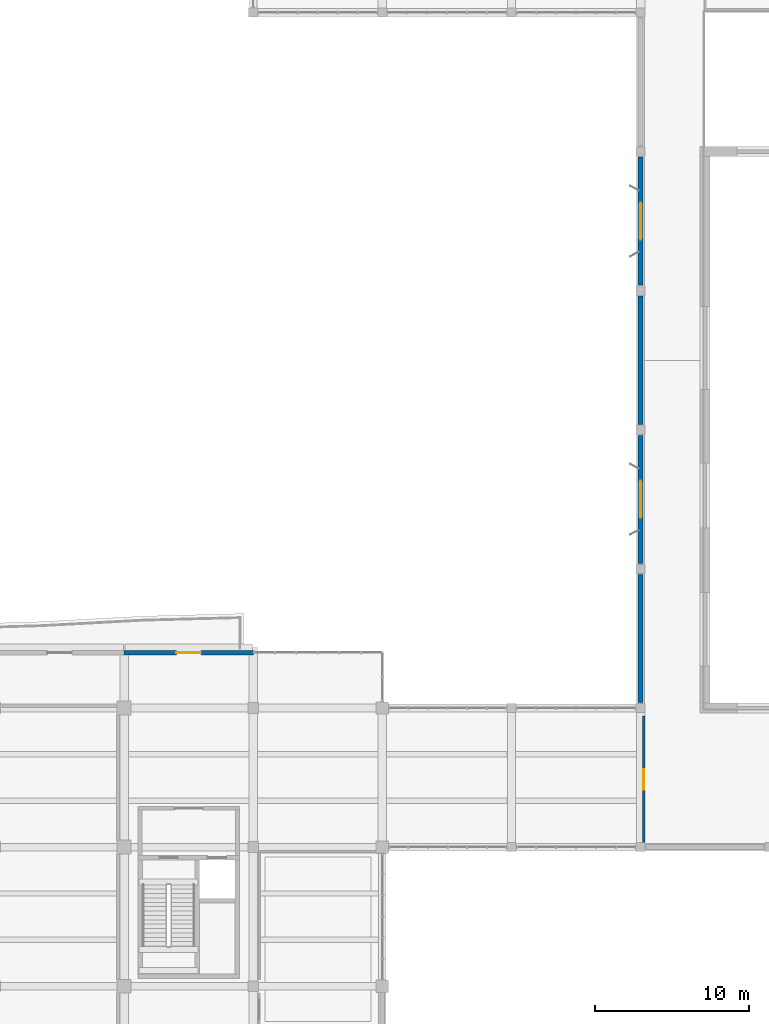
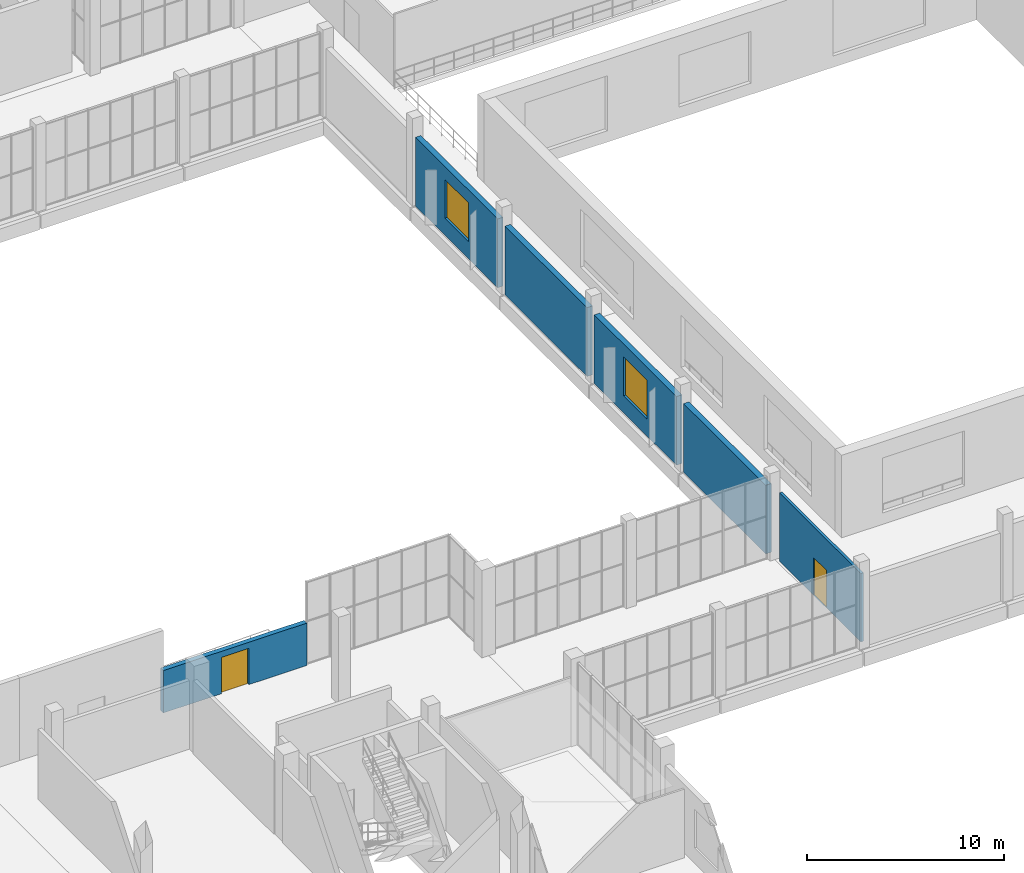
# One storey, part 114 of 132: 6 walls, 2 doors, 2 windows, 4 openings.
"""IFC4 building model written with IfcOpenShell, lengths in metres."""

from ifc_helpers import new_model, si_unit, direction, frame, frame_2d, origin, place, context, subcontext, project, spatial, rectangle, extrude, material, layer, layer_set, type_object, element, fill, save


model = new_model("IFC4")

# Units and contexts
model_context = context("Model", 3, precision=1e-05, world=origin(), true_north=direction((0.0, 1.0)))
body_context = subcontext(model_context, "Body", "Model", "MODEL_VIEW")
ifc_project = project(units=[si_unit("LENGTHUNIT", "METRE"), si_unit("AREAUNIT", "SQUARE_METRE"), si_unit("VOLUMEUNIT", "CUBIC_METRE"), si_unit("PLANEANGLEUNIT", "RADIAN"), si_unit("MASSUNIT", "GRAM", prefix="KILO")], contexts=[model_context])

# Site, building, storey
site_placement = place(None, origin())
site = spatial("IfcSite", under=ifc_project, at=site_placement, CompositionType="ELEMENT")
building_placement = place(site_placement, origin())
building = spatial("IfcBuilding", under=site, at=building_placement, Name="Khurvash Pelagic Aquarium", CompositionType="ELEMENT")
storey_placement = place(building_placement, frame((0.0, 0.0, 5.39990234375)))
storey = spatial("IfcBuildingStorey", under=building, at=storey_placement, Name="L01", CompositionType="ELEMENT", Elevation=5.39990234375)

# Wall, opening, door
ifc_material_1 = material(Name="Glass-fibre reinforced concrete C40/50", Category="concrete")
ifc_layer_1 = layer(ifc_material_1, 0.280029296875)
ifc_layer_set_1 = layer_set([ifc_layer_1], Name="Glass-fibre reinforced concrete C40/50")
wall_type_1 = type_object("IfcWallType", Name="EW-280", PredefinedType="STANDARD", material=ifc_layer_set_1)
wall_1_placement = place(storey_placement, frame((100.800048828125, 33.35009765625, 0.0), z_axis=(0.0, 0.0, 1.0), x_axis=(-1.0, 0.0, 0.0)))
wall_1 = element("IfcWall", 1, at=wall_1_placement, inside=storey, type_object=wall_type_1, Name="L01 Exterior Architectural Facade Wall EW-280 0056", PredefinedType="STANDARD", context=body_context, shape_type="SweptSolid", body=[
    extrude(rectangle(XDim=8.400146484375, YDim=0.280029296875, at=frame_2d((4.2001953125, 0.0))), origin(), (0.0, 0.0, 1.0), 2.6220703125),
])
opening_1_placement = place(wall_1_placement, frame((3.39990234375, 0.0, 0.0)))
opening_1 = element("IfcOpeningElement", 2, at=opening_1_placement, cuts=wall_1, Name="Opening ED-03", PredefinedType="OPENING", context=body_context, shape_type="SweptSolid", body=[
    extrude(rectangle(XDim=1.60009765625, YDim=2.25, at=frame_2d((0.800048828125, 1.125))), frame((0.0, 0.14990234375, 0.0), z_axis=(0.0, -1.0, 0.0), x_axis=(1.0, 0.0, 0.0)), (0.0, 0.0, 1.0), 0.300048828125),
])
ifc_material_2 = material(Name="Thermally broken glazed aluminium", Category="aluminium")
door_type_1 = type_object("IfcDoorType", Name="ED-03", OperationType="DOUBLE_DOOR_SINGLE_SWING", PredefinedType="DOOR", material=ifc_material_2)
door_1_placement = place(opening_1_placement, frame((1.60009765625, 0.0, 0.0), z_axis=(0.0, 0.0, 1.0), x_axis=(-1.0, 0.0, 0.0)))
door_1 = element("IfcDoor", 3, at=door_1_placement, inside=storey, type_object=door_type_1, Name="DR-0102", OperationType="DOUBLE_DOOR_SINGLE_SWING", OverallHeight=2.25, OverallWidth=1.60009765625, PredefinedType="DOOR", context=body_context, shape_type="SweptSolid", body=[
    extrude(rectangle(XDim=1.60009765625, YDim=2.25, at=frame_2d((0.800048828125, 1.125))), frame((0.0, 0.02490234375, 0.0), z_axis=(0.0, -1.0, 0.0), x_axis=(1.0, 0.0, 0.0)), (0.0, 0.0, 1.0), 0.050048828125),
])
fill(opening_1, door_1)

# Wall
ifc_material_3 = material(Name="Precast concrete C40/50", Category="concrete")
ifc_layer_2 = layer(ifc_material_3, 0.320068359375)
ifc_layer_set_2 = layer_set([ifc_layer_2], Name="Precast concrete C40/50")
wall_type_2 = type_object("IfcWallType", Name="EW-320", PredefinedType="STANDARD", material=ifc_layer_set_2)
wall_2_placement = place(storey_placement, frame((126.0, 38.43994140625, 0.0), z_axis=(0.0, 0.0, 1.0), x_axis=(0.0, -1.0, 0.0)))
element("IfcWall", 4, at=wall_2_placement, inside=storey, type_object=wall_type_2, Name="L01 Ocean Tank Hall West Courtyard Wall EW-320 B2", PredefinedType="STANDARD", context=body_context, shape_type="SweptSolid", body=[
    extrude(rectangle(XDim=8.329833984375, YDim=0.320068359375, at=frame_2d((4.1650390625, 0.0))), origin(), (0.0, 0.0, 1.0), 4.25),
])

# Wall, opening, window
wall_3_placement = place(storey_placement, frame((126.0, 47.489990234375, 0.0), z_axis=(0.0, 0.0, 1.0), x_axis=(0.0, -1.0, 0.0)))
wall_3 = element("IfcWall", 5, at=wall_3_placement, inside=storey, type_object=wall_type_2, Name="L01 Ocean Tank Hall West Courtyard Wall EW-320 B3", PredefinedType="STANDARD", context=body_context, shape_type="SweptSolid", body=[
    extrude(rectangle(XDim=8.330078125, YDim=0.320068359375, at=frame_2d((4.1650390625, 0.0))), origin(), (0.0, 0.0, 1.0), 4.25),
])
opening_2_placement = place(wall_3_placement, frame((2.965087890625, 0.0, 1.050048828125)))
opening_2 = element("IfcOpeningElement", 6, at=opening_2_placement, cuts=wall_3, Name="Opening WN-02", PredefinedType="OPENING", context=body_context, shape_type="SweptSolid", body=[
    extrude(rectangle(XDim=2.39990234375, YDim=2.39990234375, at=frame_2d((1.199951171875, 1.199951171875))), frame((0.0, 0.169921875, 0.0), z_axis=(0.0, -1.0, 0.0), x_axis=(1.0, 0.0, 0.0)), (0.0, 0.0, 1.0), 0.340087890625),
])
ifc_material_4 = material(Name="Thermally broken aluminium and low-E glass", Category="aluminium")
window_type = type_object("IfcWindowType", Name="WN-02", PartitioningType="SINGLE_PANEL", PredefinedType="WINDOW", material=ifc_material_4)
window_1_placement = place(opening_2_placement, origin())
window_1 = element("IfcWindow", 7, at=window_1_placement, inside=storey, type_object=window_type, Name="L01 Ocean Hall Courtyard Portal Window WN-02", OverallHeight=2.39990234375, OverallWidth=2.39990234375, PartitioningType="SINGLE_PANEL", PredefinedType="WINDOW", context=body_context, shape_type="SweptSolid", body=[
    extrude(rectangle(XDim=2.39990234375, YDim=2.39990234375, at=frame_2d((1.199951171875, 1.199951171875))), frame((0.0, 0.030029296875, 0.0), z_axis=(0.0, -1.0, 0.0), x_axis=(1.0, 0.0, 0.0)), (0.0, 0.0, 1.0), 0.06005859375),
])
fill(opening_2, window_1)

# Wall
wall_4_placement = place(storey_placement, frame((126.0, 56.5400390625, 0.0), z_axis=(0.0, 0.0, 1.0), x_axis=(0.0, -1.0, 0.0)))
element("IfcWall", 8, at=wall_4_placement, inside=storey, type_object=wall_type_2, Name="L01 Ocean Tank Hall West Courtyard Wall EW-320 B4", PredefinedType="STANDARD", context=body_context, shape_type="SweptSolid", body=[
    extrude(rectangle(XDim=8.330078125, YDim=0.320068359375, at=frame_2d((4.1650390625, 0.0))), origin(), (0.0, 0.0, 1.0), 4.25),
])

# Wall, opening, window
wall_5_placement = place(storey_placement, frame((126.0, 65.590087890625, 0.0), z_axis=(0.0, 0.0, 1.0), x_axis=(0.0, -1.0, 0.0)))
wall_5 = element("IfcWall", 9, at=wall_5_placement, inside=storey, type_object=wall_type_2, Name="L01 Ocean Tank Hall West Courtyard Wall EW-320 B5", PredefinedType="STANDARD", context=body_context, shape_type="SweptSolid", body=[
    extrude(rectangle(XDim=8.330078125, YDim=0.320068359375, at=frame_2d((4.1650390625, 0.0))), origin(), (0.0, 0.0, 1.0), 4.25),
])
opening_3_placement = place(wall_5_placement, frame((2.965087890625, 0.0, 1.050048828125)))
opening_3 = element("IfcOpeningElement", 10, at=opening_3_placement, cuts=wall_5, Name="Opening WN-02", PredefinedType="OPENING", context=body_context, shape_type="SweptSolid", body=[
    extrude(rectangle(XDim=2.39990234375, YDim=2.39990234375, at=frame_2d((1.199951171875, 1.199951171875))), frame((0.0, 0.169921875, 0.0), z_axis=(0.0, -1.0, 0.0), x_axis=(1.0, 0.0, 0.0)), (0.0, 0.0, 1.0), 0.340087890625),
])
window_2_placement = place(opening_3_placement, origin())
window_2 = element("IfcWindow", 11, at=window_2_placement, inside=storey, type_object=window_type, Name="L01 Ocean Hall Courtyard Portal Window WN-02", OverallHeight=2.39990234375, OverallWidth=2.39990234375, PartitioningType="SINGLE_PANEL", PredefinedType="WINDOW", context=body_context, shape_type="SweptSolid", body=[
    extrude(rectangle(XDim=2.39990234375, YDim=2.39990234375, at=frame_2d((1.199951171875, 1.199951171875))), frame((0.0, 0.030029296875, 0.0), z_axis=(0.0, -1.0, 0.0), x_axis=(1.0, 0.0, 0.0)), (0.0, 0.0, 1.0), 0.06005859375),
])
fill(opening_3, window_2)

# Wall, opening, door
ifc_material_5 = material(Name="AAC blockwork", Category="masonry")
ifc_layer_3 = layer(ifc_material_5, 0.155029296875)
ifc_layer_set_3 = layer_set([ifc_layer_3], Name="AAC blockwork")
wall_type_3 = type_object("IfcWallType", Name="PW-155", PredefinedType="PARTITIONING", material=ifc_layer_set_3)
wall_6_placement = place(storey_placement, frame((126.199951171875, 20.97705078125, 0.0), z_axis=(0.0, 0.0, 1.0), x_axis=(0.0, 1.0, 0.0)))
wall_6 = element("IfcWall", 12, at=wall_6_placement, inside=storey, type_object=wall_type_3, Name="L01 Mid-Water Pelagic Viewing Balcony Partition Wall PW-155", PredefinedType="PARTITIONING", context=body_context, shape_type="SweptSolid", body=[
    extrude(rectangle(XDim=8.245849609375, YDim=0.155029296875, at=frame_2d((4.123046875, 0.0))), origin(), (0.0, 0.0, 1.0), 4.22998046875),
])
opening_4_placement = place(wall_6_placement, frame((3.452880859375, 0.0, 0.0)))
opening_4 = element("IfcOpeningElement", 13, at=opening_4_placement, cuts=wall_6, Name="Opening ID-31", PredefinedType="OPENING", context=body_context, shape_type="SweptSolid", body=[
    extrude(rectangle(XDim=1.340087890625, YDim=2.320068359375, at=frame_2d((0.669921875, 1.16015625))), frame((0.0, 0.08740234375, 0.0), z_axis=(0.0, -1.0, 0.0), x_axis=(1.0, 0.0, 0.0)), (0.0, 0.0, 1.0), 0.175048828125),
])
ifc_material_6 = material(Name="FRP specimen lab door", Category="wood")
door_type_2 = type_object("IfcDoorType", Name="ID-31", OperationType="NOTDEFINED", PredefinedType="DOOR", material=ifc_material_6)
door_2_placement = place(opening_4_placement, frame((1.340087890625, 0.0, 0.0), z_axis=(0.0, 0.0, 1.0), x_axis=(-1.0, 0.0, 0.0)))
door_2 = element("IfcDoor", 14, at=door_2_placement, inside=storey, type_object=door_type_2, Name="DR-0118", OperationType="SINGLE_SWING_LEFT", OverallHeight=2.320068359375, OverallWidth=1.340087890625, PredefinedType="DOOR", context=body_context, shape_type="SweptSolid", body=[
    extrude(rectangle(XDim=1.340087890625, YDim=2.320068359375, at=frame_2d((0.669921875, 1.16015625))), frame((0.0, 0.02490234375, 0.0), z_axis=(0.0, -1.0, 0.0), x_axis=(1.0, 0.0, 0.0)), (0.0, 0.0, 1.0), 0.050048828125),
])
fill(opening_4, door_2)

save(model, "model.ifc")
